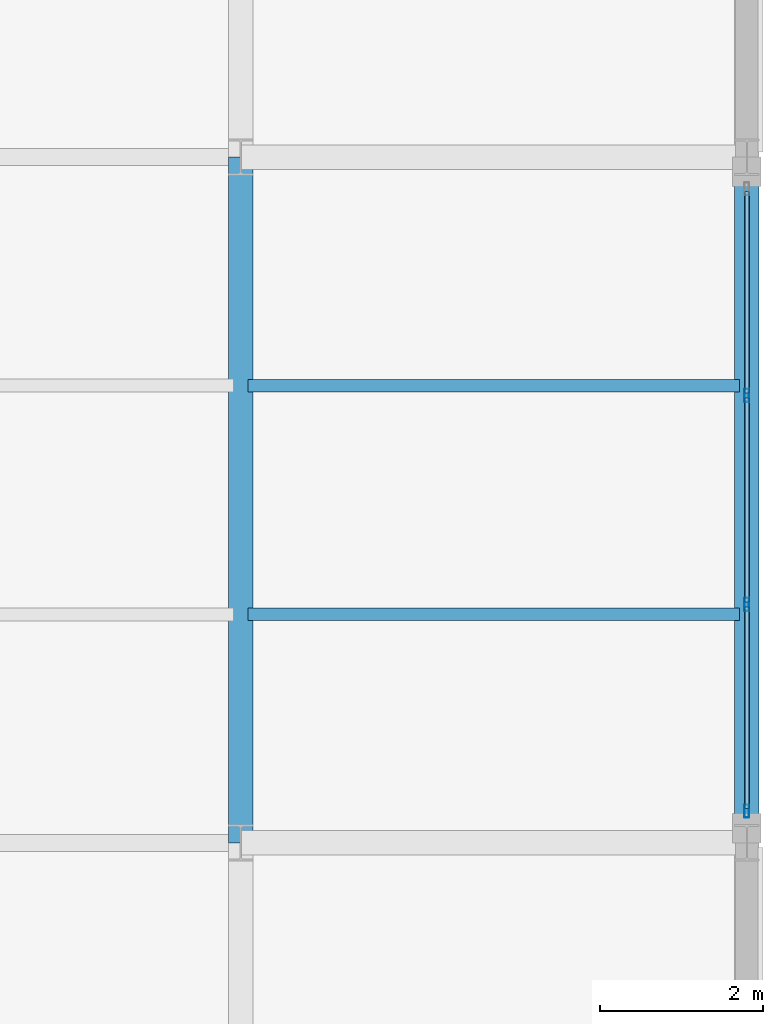
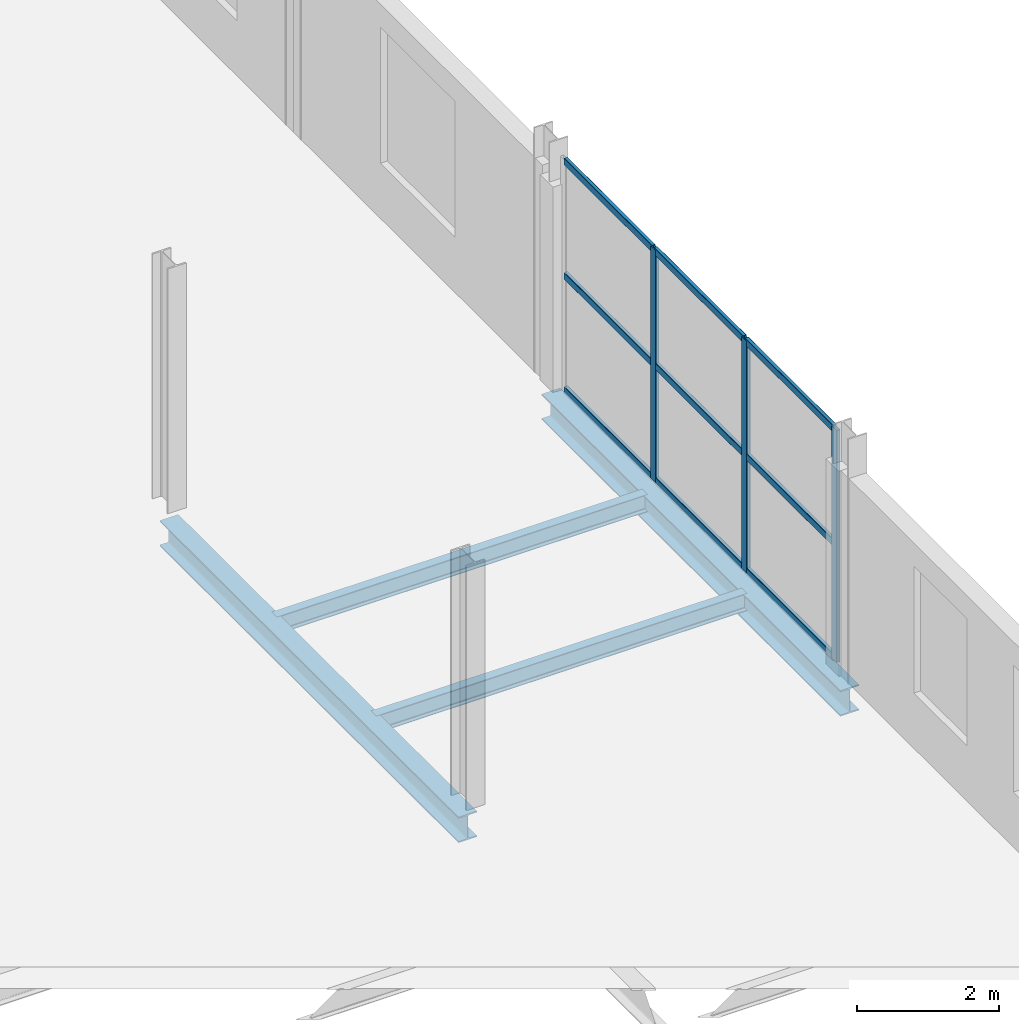
# One storey, part 67 of 93: 12 members, 4 beams, 1 element without a shape of its own.
"""IFC4 building model written with IfcOpenShell, lengths in metres."""

from ifc_helpers import new_model, si_unit, direction, frame, origin, origin_2d, place, context, subcontext, project, spatial, hollow_rectangle, i_section, extrude, material, layer, layer_set, material_profile, profile_set, type_object, element, aggregate, save


model = new_model("IFC4")

# Units and contexts
model_context = context("Model", 3, precision=1e-05, world=origin(), true_north=direction((0.0, 1.0)))
body_context = subcontext(model_context, "Body", "Model", "MODEL_VIEW")
ifc_project = project(units=[si_unit("LENGTHUNIT", "METRE"), si_unit("AREAUNIT", "SQUARE_METRE"), si_unit("VOLUMEUNIT", "CUBIC_METRE"), si_unit("PLANEANGLEUNIT", "RADIAN"), si_unit("MASSUNIT", "GRAM", prefix="KILO")], contexts=[model_context])

# Site, building, storey
site_placement = place(None, origin())
site = spatial("IfcSite", under=ifc_project, at=site_placement, CompositionType="ELEMENT")
building_placement = place(site_placement, origin())
building = spatial("IfcBuilding", under=site, at=building_placement, Name="Vekula Escarpment Museum", CompositionType="ELEMENT")
storey_placement = place(building_placement, frame((0.0, 0.0, 22.199951171875)))
storey = spatial("IfcBuildingStorey", under=building, at=storey_placement, Name="L05", CompositionType="ELEMENT", Elevation=22.199951171875)

# Beams
ifc_material_1 = material(Name="Steel S355", Category="steel")
ifc_material_profile_1 = material_profile(ifc_material_1, i_section(OverallWidth=0.14990234375, OverallDepth=0.300048828125, WebThickness=0.007080078125, FlangeThickness=0.0107421875, FilletRadius=0.014892578125, at=origin_2d()), Name="IPE 300")
ifc_profile_set_1 = profile_set([ifc_material_profile_1], Name="Steel S355")
beam_type_1 = type_object("IfcBeamType", Name="BM-JST-IPE300", PredefinedType="JOIST", material=ifc_profile_set_1)
for number, where, z_axis, x_axis, name in (
    (1, (191.889892578125, 70.800048828125, -0.39990234375), (1.0, 0.0, 0.0), (0.0, 1.0, 0.0), "Secondary Joist L05 1415"),
    (2, (191.889892578125, 73.60009765625, -0.39990234375), (1.0, 0.0, 0.0), (0.0, 1.0, 0.0), "Secondary Joist L05 1416"),
):
    element("IfcBeam", number, at=place(storey_placement, frame(where, z_axis=z_axis, x_axis=x_axis)), inside=storey, type_object=beam_type_1, Name=name, PredefinedType="JOIST", context=body_context, shape_type="SweptSolid", body=[
        extrude(i_section(OverallWidth=0.14990234375, OverallDepth=0.300048828125, WebThickness=0.007080078125, FlangeThickness=0.0107421875, FilletRadius=0.014892578125, at=origin_2d()), origin(), (0.0, 0.0, 1.0), 6.02001953125),
    ])
ifc_material_2 = material(Name="Steel S355", Category="steel")
ifc_material_profile_2 = material_profile(ifc_material_2, i_section(OverallWidth=0.300048828125, OverallDepth=0.43994140625, WebThickness=0.011474609375, FlangeThickness=0.02099609375, FilletRadius=0.027099609375, at=origin_2d()), Name="HEA 450")
ifc_profile_set_2 = profile_set([ifc_material_profile_2], Name="Steel S355")
beam_type_2 = type_object("IfcBeamType", Name="BM-SPAN-HEA450", PredefinedType="SPANDREL", material=ifc_profile_set_2)
for number, where, z_axis, x_axis, name in (
    (3, (191.800048828125, 68.0, -0.469970703125), (0.0, 1.0, 0.0), (-1.0, 0.0, 0.0), "Beam Y L05 2177"),
    (4, (198.0, 68.0, -0.469970703125), (0.0, 1.0, 0.0), (-1.0, 0.0, 0.0), "Beam Y L05 2185"),
):
    element("IfcBeam", number, at=place(storey_placement, frame(where, z_axis=z_axis, x_axis=x_axis)), inside=storey, type_object=beam_type_2, Name=name, PredefinedType="SPANDREL", context=body_context, shape_type="SweptSolid", body=[
        extrude(i_section(OverallWidth=0.300048828125, OverallDepth=0.43994140625, WebThickness=0.011474609375, FlangeThickness=0.02099609375, FilletRadius=0.027099609375, at=origin_2d()), origin(), (0.0, 0.0, 1.0), 8.39990234375),
    ])

# Curtain wall, members
ifc_material_3 = material(Name="Aluminium thermally broken framing", Category="aluminium")
ifc_layer = layer(ifc_material_3, 0.139892578125)
ifc_layer_set = layer_set([ifc_layer], Name="Aluminium thermally broken framing")
curtain_wall_type = type_object("IfcCurtainWallType", Name="CW-SYS-06", PredefinedType="NOTDEFINED", material=ifc_layer_set)
curtain_wall_placement = place(storey_placement, origin())
curtain_wall = element("IfcCurtainWall", 5, at=curtain_wall_placement, inside=storey, type_object=curtain_wall_type, Name="Curtain Wall CW-L05-186", PredefinedType="NOTDEFINED")
ifc_material_4 = material(Name="Aluminium anodized mullion", Category="aluminium")
ifc_material_profile_3 = material_profile(ifc_material_4, hollow_rectangle(XDim=0.06005859375, YDim=0.159912109375, WallThickness=0.00390625, InnerFilletRadius=0.00390625, OuterFilletRadius=0.008056640625, at=origin_2d()), Name="ALU 160x60x4")
ifc_profile_set_3 = profile_set([ifc_material_profile_3], Name="Aluminium anodized mullion")
member_type_1 = type_object("IfcMemberType", Name="CW-MUL-160", PredefinedType="MULLION", material=ifc_profile_set_3)
member_1_placement = place(storey_placement, frame((198.0, 68.389892578125, 0.0), z_axis=(0.0, 0.0, 1.0), x_axis=(-1.0, 0.0, 0.0)))
member_1 = element("IfcMember", 6, at=member_1_placement, type_object=member_type_1, Name="CW-06 mullion 1", PredefinedType="MULLION", context=body_context, shape_type="SweptSolid", body=[
    extrude(hollow_rectangle(XDim=0.06005859375, YDim=0.159912109375, WallThickness=0.00390625, InnerFilletRadius=0.00390625, OuterFilletRadius=0.008056640625, at=origin_2d()), origin(), (0.0, 0.0, 1.0), 3.97998046875),
])
member_2_placement = place(storey_placement, frame((198.0, 70.919921875, 0.0), z_axis=(0.0, 0.0, 1.0), x_axis=(-1.0, 0.0, 0.0)))
member_2 = element("IfcMember", 7, at=member_2_placement, type_object=member_type_1, Name="CW-06 mullion 2", PredefinedType="MULLION", context=body_context, shape_type="SweptSolid", body=[
    extrude(hollow_rectangle(XDim=0.06005859375, YDim=0.159912109375, WallThickness=0.00390625, InnerFilletRadius=0.00390625, OuterFilletRadius=0.008056640625, at=origin_2d()), origin(), (0.0, 0.0, 1.0), 3.97998046875),
])
member_3_placement = place(storey_placement, frame((198.0, 73.47998046875, 0.0), z_axis=(0.0, 0.0, 1.0), x_axis=(-1.0, 0.0, 0.0)))
member_3 = element("IfcMember", 8, at=member_3_placement, type_object=member_type_1, Name="CW-06 mullion 3", PredefinedType="MULLION", context=body_context, shape_type="SweptSolid", body=[
    extrude(hollow_rectangle(XDim=0.06005859375, YDim=0.159912109375, WallThickness=0.00390625, InnerFilletRadius=0.00390625, OuterFilletRadius=0.008056640625, at=origin_2d()), origin(), (0.0, 0.0, 1.0), 3.97998046875),
])
ifc_material_5 = material(Name="Aluminium anodized transom", Category="aluminium")
ifc_material_profile_4 = material_profile(ifc_material_5, hollow_rectangle(XDim=0.06005859375, YDim=0.1201171875, WallThickness=0.00390625, InnerFilletRadius=0.00390625, OuterFilletRadius=0.008056640625, at=origin_2d()), Name="ALU 120x60x4")
ifc_profile_set_4 = profile_set([ifc_material_profile_4], Name="Aluminium anodized transom")
member_type_2 = type_object("IfcMemberType", Name="CW-TRN-120", PredefinedType="USERDEFINED", material=ifc_profile_set_4)
member_4_placement = place(storey_placement, frame((198.0, 68.419921875, 0.030029296875), z_axis=(0.0, 1.0, 0.0), x_axis=(-1.0, 0.0, 0.0)))
member_4 = element("IfcMember", 9, at=member_4_placement, type_object=member_type_2, Name="CW-06 transom 1.1", ObjectType="TRANSOM", PredefinedType="USERDEFINED", context=body_context, shape_type="SweptSolid", body=[
    extrude(hollow_rectangle(XDim=0.06005859375, YDim=0.1201171875, WallThickness=0.00390625, InnerFilletRadius=0.00390625, OuterFilletRadius=0.008056640625, at=origin_2d()), origin(), (0.0, 0.0, 1.0), 2.469970703125),
])
member_5_placement = place(storey_placement, frame((198.0, 68.419921875, 1.989990234375), z_axis=(0.0, 1.0, 0.0), x_axis=(-1.0, 0.0, 0.0)))
member_5 = element("IfcMember", 10, at=member_5_placement, type_object=member_type_2, Name="CW-06 transom 1.2", ObjectType="TRANSOM", PredefinedType="USERDEFINED", context=body_context, shape_type="SweptSolid", body=[
    extrude(hollow_rectangle(XDim=0.06005859375, YDim=0.1201171875, WallThickness=0.00390625, InnerFilletRadius=0.00390625, OuterFilletRadius=0.008056640625, at=origin_2d()), origin(), (0.0, 0.0, 1.0), 2.469970703125),
])
member_6_placement = place(storey_placement, frame((198.0, 68.419921875, 3.949951171875), z_axis=(0.0, 1.0, 0.0), x_axis=(-1.0, 0.0, 0.0)))
member_6 = element("IfcMember", 11, at=member_6_placement, type_object=member_type_2, Name="CW-06 transom 1.3", ObjectType="TRANSOM", PredefinedType="USERDEFINED", context=body_context, shape_type="SweptSolid", body=[
    extrude(hollow_rectangle(XDim=0.06005859375, YDim=0.1201171875, WallThickness=0.00390625, InnerFilletRadius=0.00390625, OuterFilletRadius=0.008056640625, at=origin_2d()), origin(), (0.0, 0.0, 1.0), 2.469970703125),
])
member_7_placement = place(storey_placement, frame((198.0, 70.949951171875, 0.030029296875), z_axis=(0.0, 1.0, 0.0), x_axis=(-1.0, 0.0, 0.0)))
member_7 = element("IfcMember", 12, at=member_7_placement, type_object=member_type_2, Name="CW-06 transom 2.1", ObjectType="TRANSOM", PredefinedType="USERDEFINED", context=body_context, shape_type="SweptSolid", body=[
    extrude(hollow_rectangle(XDim=0.06005859375, YDim=0.1201171875, WallThickness=0.00390625, InnerFilletRadius=0.00390625, OuterFilletRadius=0.008056640625, at=origin_2d()), origin(), (0.0, 0.0, 1.0), 2.5),
])
member_8_placement = place(storey_placement, frame((198.0, 70.949951171875, 1.989990234375), z_axis=(0.0, 1.0, 0.0), x_axis=(-1.0, 0.0, 0.0)))
member_8 = element("IfcMember", 13, at=member_8_placement, type_object=member_type_2, Name="CW-06 transom 2.2", ObjectType="TRANSOM", PredefinedType="USERDEFINED", context=body_context, shape_type="SweptSolid", body=[
    extrude(hollow_rectangle(XDim=0.06005859375, YDim=0.1201171875, WallThickness=0.00390625, InnerFilletRadius=0.00390625, OuterFilletRadius=0.008056640625, at=origin_2d()), origin(), (0.0, 0.0, 1.0), 2.5),
])
member_9_placement = place(storey_placement, frame((198.0, 70.949951171875, 3.949951171875), z_axis=(0.0, 1.0, 0.0), x_axis=(-1.0, 0.0, 0.0)))
member_9 = element("IfcMember", 14, at=member_9_placement, type_object=member_type_2, Name="CW-06 transom 2.3", ObjectType="TRANSOM", PredefinedType="USERDEFINED", context=body_context, shape_type="SweptSolid", body=[
    extrude(hollow_rectangle(XDim=0.06005859375, YDim=0.1201171875, WallThickness=0.00390625, InnerFilletRadius=0.00390625, OuterFilletRadius=0.008056640625, at=origin_2d()), origin(), (0.0, 0.0, 1.0), 2.5),
])
member_10_placement = place(storey_placement, frame((198.0, 73.510009765625, 0.030029296875), z_axis=(0.0, 1.0, 0.0), x_axis=(-1.0, 0.0, 0.0)))
member_10 = element("IfcMember", 15, at=member_10_placement, type_object=member_type_2, Name="CW-06 transom 3.1", ObjectType="TRANSOM", PredefinedType="USERDEFINED", context=body_context, shape_type="SweptSolid", body=[
    extrude(hollow_rectangle(XDim=0.06005859375, YDim=0.1201171875, WallThickness=0.00390625, InnerFilletRadius=0.00390625, OuterFilletRadius=0.008056640625, at=origin_2d()), origin(), (0.0, 0.0, 1.0), 2.469970703125),
])
member_11_placement = place(storey_placement, frame((198.0, 73.510009765625, 1.989990234375), z_axis=(0.0, 1.0, 0.0), x_axis=(-1.0, 0.0, 0.0)))
member_11 = element("IfcMember", 16, at=member_11_placement, type_object=member_type_2, Name="CW-06 transom 3.2", ObjectType="TRANSOM", PredefinedType="USERDEFINED", context=body_context, shape_type="SweptSolid", body=[
    extrude(hollow_rectangle(XDim=0.06005859375, YDim=0.1201171875, WallThickness=0.00390625, InnerFilletRadius=0.00390625, OuterFilletRadius=0.008056640625, at=origin_2d()), origin(), (0.0, 0.0, 1.0), 2.469970703125),
])
member_12_placement = place(storey_placement, frame((198.0, 73.510009765625, 3.949951171875), z_axis=(0.0, 1.0, 0.0), x_axis=(-1.0, 0.0, 0.0)))
member_12 = element("IfcMember", 17, at=member_12_placement, type_object=member_type_2, Name="CW-06 transom 3.3", ObjectType="TRANSOM", PredefinedType="USERDEFINED", context=body_context, shape_type="SweptSolid", body=[
    extrude(hollow_rectangle(XDim=0.06005859375, YDim=0.1201171875, WallThickness=0.00390625, InnerFilletRadius=0.00390625, OuterFilletRadius=0.008056640625, at=origin_2d()), origin(), (0.0, 0.0, 1.0), 2.469970703125),
])
aggregate(curtain_wall, [member_1, member_2, member_3, member_4, member_5, member_6, member_7, member_8, member_9, member_10, member_11, member_12])

save(model, "model.ifc")
